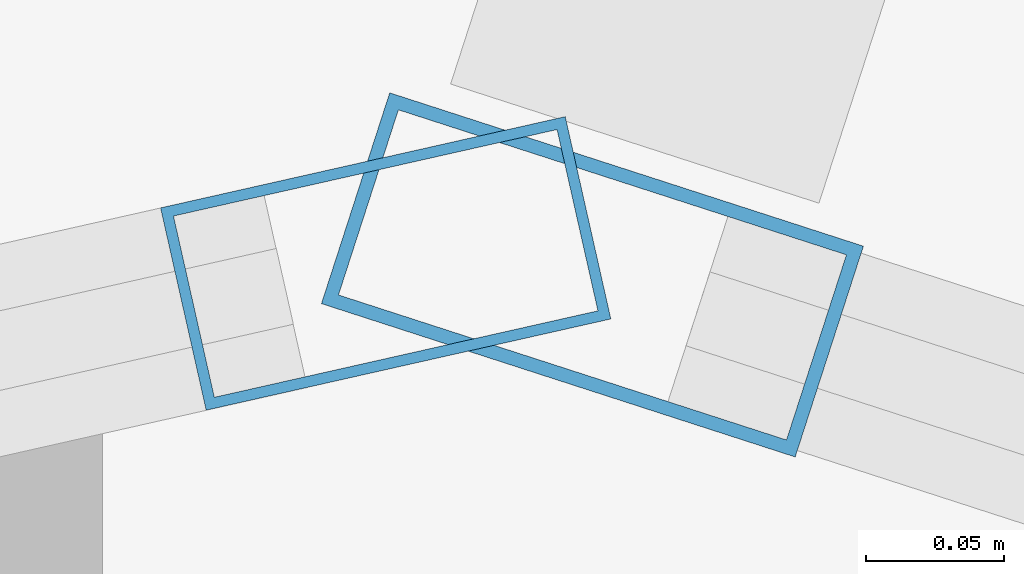
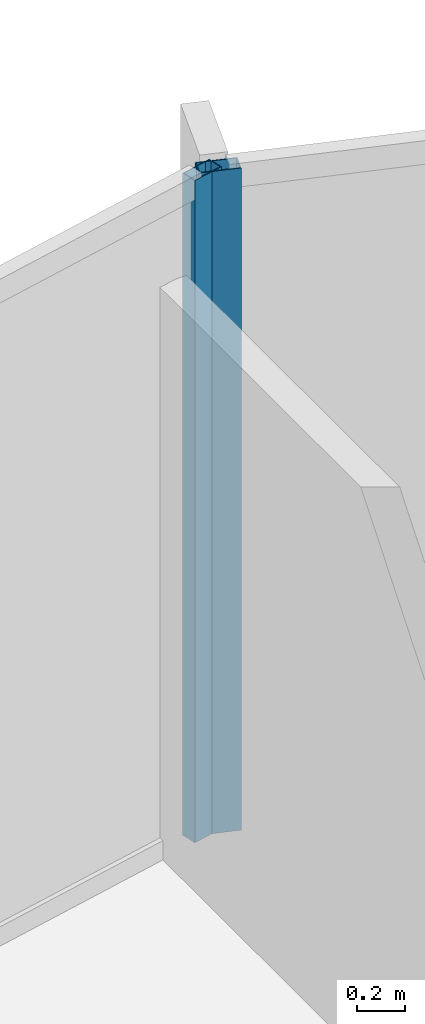
# One storey, part 21 of 33: 2 members, 2 elements without a shape of their own.
"""IFC4 building model written with IfcOpenShell, lengths in metres."""

from ifc_helpers import new_model, si_unit, direction, frame, origin, origin_2d, place, context, subcontext, project, spatial, hollow_rectangle, extrude, material, layer, layer_set, material_profile, profile_set, type_object, element, aggregate, save


model = new_model("IFC4")

# Units and contexts
model_context = context("Model", 3, precision=1e-05, world=origin(), true_north=direction((0.0, 1.0)))
body_context = subcontext(model_context, "Body", "Model", "MODEL_VIEW")
ifc_project = project(units=[si_unit("LENGTHUNIT", "METRE"), si_unit("AREAUNIT", "SQUARE_METRE"), si_unit("VOLUMEUNIT", "CUBIC_METRE"), si_unit("PLANEANGLEUNIT", "RADIAN"), si_unit("MASSUNIT", "GRAM", prefix="KILO")], contexts=[model_context])

# Site, building, storey
site_placement = place(None, origin())
site = spatial("IfcSite", under=ifc_project, at=site_placement, CompositionType="ELEMENT")
building_placement = place(site_placement, origin())
building = spatial("IfcBuilding", under=site, at=building_placement, Name="Kazevale Care Tower and Concert Hall", CompositionType="ELEMENT")
storey_placement = place(building_placement, frame((0.0, 0.0, 45.60009765625)))
storey = spatial("IfcBuildingStorey", under=building, at=storey_placement, Name="L11", CompositionType="ELEMENT", Elevation=45.60009765625)

# Curtain wall, member
ifc_material_1 = material(Name="Aluminium 6063-T6 and Low-E Glass", Category="aluminium")
ifc_layer_1 = layer(ifc_material_1, 0.179931640625)
ifc_layer_set_1 = layer_set([ifc_layer_1], Name="Aluminium 6063-T6 and Low-E Glass")
curtain_wall_type_1 = type_object("IfcCurtainWallType", Name="Convex Checkerboard Finned Curtain Wall CW-2", PredefinedType="NOTDEFINED", material=ifc_layer_set_1)
curtain_wall_1_placement = place(storey_placement, origin())
curtain_wall_1 = element("IfcCurtainWall", 1, at=curtain_wall_1_placement, inside=storey, type_object=curtain_wall_type_1, Name="cw:L11:f16", PredefinedType="NOTDEFINED")
ifc_material_2 = material(Name="Aluminium 6063-T6", Category="aluminium")
ifc_material_profile_1 = material_profile(ifc_material_2, hollow_rectangle(XDim=0.080078125, YDim=0.179931640625, WallThickness=0.0048828125, at=origin_2d()), Name="ALU80x180x5")
ifc_profile_set_1 = profile_set([ifc_material_profile_1], Name="Aluminium 6063-T6")
member_type_1 = type_object("IfcMemberType", Name="CW-2 Mullion ALU80x180x5", PredefinedType="MULLION", material=ifc_profile_set_1)
member_1_placement = place(storey_placement, frame((44.9970703125, 67.355712890625, 0.0), z_axis=(0.0, 0.0, 1.0), x_axis=(0.307925769029, 0.951410385043, 0.0)))
member_1 = element("IfcMember", 2, at=member_1_placement, type_object=member_type_1, Name="CW-2 mullion 1", PredefinedType="MULLION", context=body_context, shape_type="SweptSolid", body=[
    extrude(hollow_rectangle(XDim=0.080078125, YDim=0.179931640625, WallThickness=0.0048828125, at=origin_2d()), origin(), (0.0, 0.0, 1.0), 3.35986328125),
])
aggregate(curtain_wall_1, [member_1])

ifc_layer_2 = layer(ifc_material_1, 0.179931640625)
ifc_layer_set_2 = layer_set([ifc_layer_2], Name="Aluminium 6063-T6 and Low-E Glass")
curtain_wall_type_2 = type_object("IfcCurtainWallType", Name="Convex Recessed Sunroom Curtain Wall CW-3", PredefinedType="NOTDEFINED", material=ifc_layer_set_2)
curtain_wall_2_placement = place(storey_placement, origin())
curtain_wall_2 = element("IfcCurtainWall", 3, at=curtain_wall_2_placement, inside=storey, type_object=curtain_wall_type_2, Name="cw:L11:f15", PredefinedType="NOTDEFINED")
ifc_material_profile_2 = material_profile(ifc_material_2, hollow_rectangle(XDim=0.074951171875, YDim=0.14990234375, WallThickness=0.00390625, at=origin_2d()), Name="ALU75x150x4")
ifc_profile_set_2 = profile_set([ifc_material_profile_2], Name="Aluminium 6063-T6")
member_type_2 = type_object("IfcMemberType", Name="CW-3 Mullion ALU75x150x4", PredefinedType="MULLION", material=ifc_profile_set_2)
member_2_placement = place(storey_placement, frame((44.92236328125, 67.35986328125, 0.0), z_axis=(0.0, 0.0, 1.0), x_axis=(-0.219910670667, 0.975520013596, 0.0)))
member_2 = element("IfcMember", 4, at=member_2_placement, type_object=member_type_2, Name="CW-3 mullion 2", PredefinedType="MULLION", context=body_context, shape_type="SweptSolid", body=[
    extrude(hollow_rectangle(XDim=0.074951171875, YDim=0.14990234375, WallThickness=0.00390625, at=origin_2d()), origin(), (0.0, 0.0, 1.0), 3.35986328125),
])
aggregate(curtain_wall_2, [member_2])

save(model, "model.ifc")
